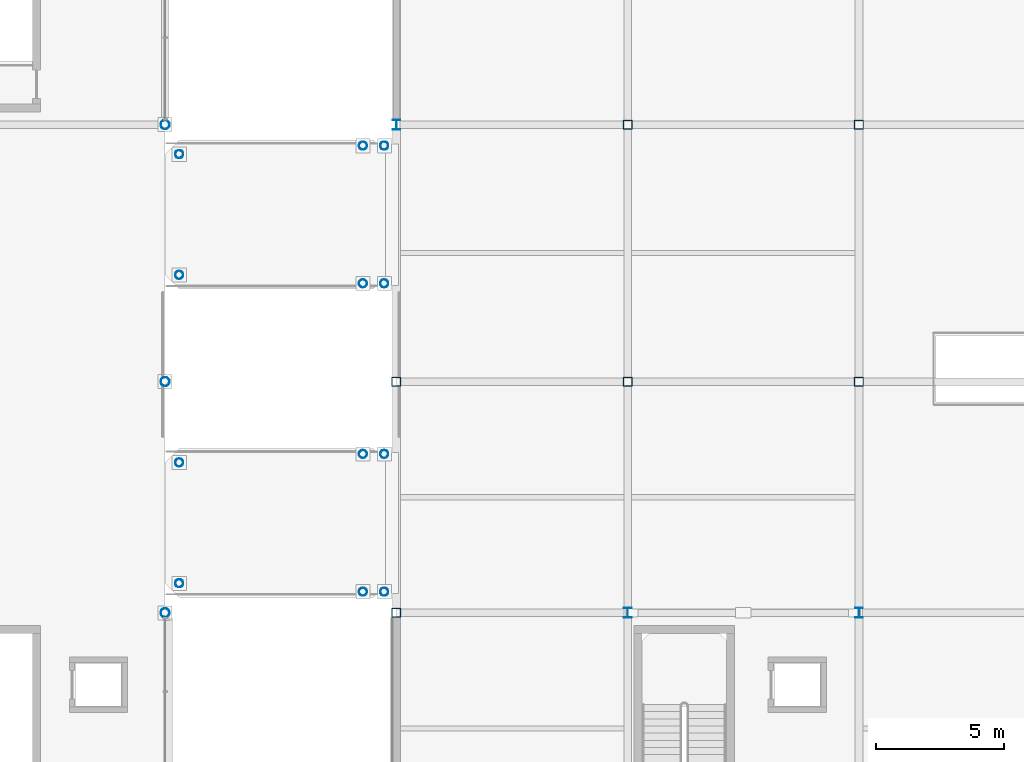
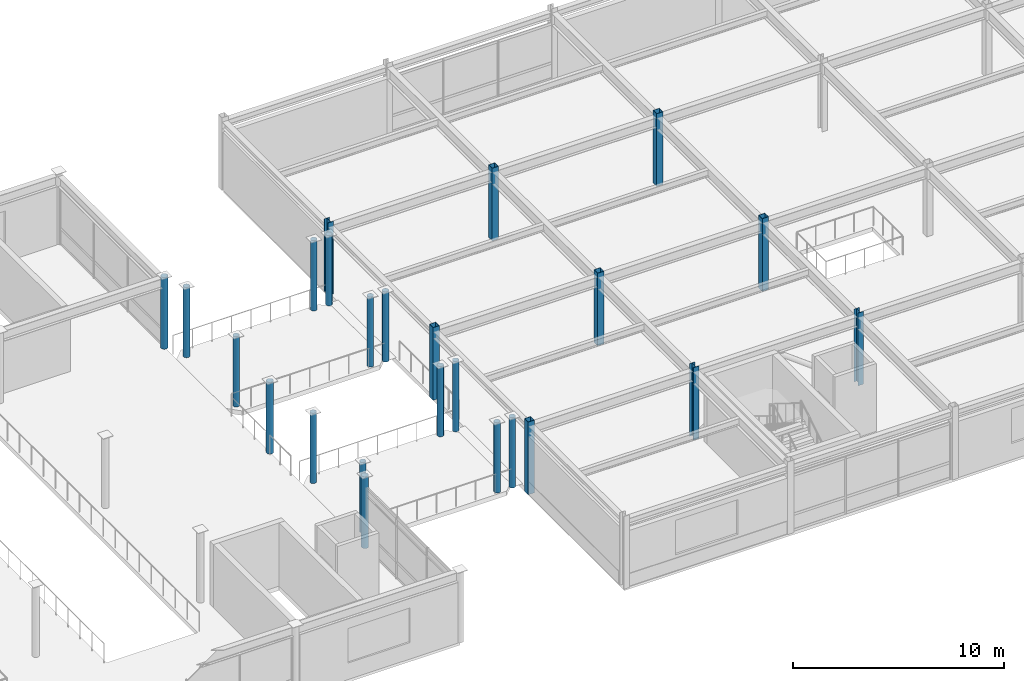
# One storey, part 5 of 53: 24 columns.
"""IFC4 building model written with IfcOpenShell, lengths in metres."""

from ifc_helpers import new_model, si_unit, direction, frame, origin, origin_2d, place, context, subcontext, project, spatial, hollow_rectangle, hollow_circle, i_section, extrude, material, material_profile, profile_set, type_object, element, save


model = new_model("IFC4")

# Units and contexts
model_context = context("Model", 3, precision=1e-05, world=origin(), true_north=direction((0.0, 1.0)))
body_context = subcontext(model_context, "Body", "Model", "MODEL_VIEW")
ifc_project = project(units=[si_unit("LENGTHUNIT", "METRE"), si_unit("AREAUNIT", "SQUARE_METRE"), si_unit("VOLUMEUNIT", "CUBIC_METRE"), si_unit("PLANEANGLEUNIT", "RADIAN"), si_unit("MASSUNIT", "GRAM", prefix="KILO")], contexts=[model_context])

# Site, building, storey
site_placement = place(None, origin())
site = spatial("IfcSite", under=ifc_project, at=site_placement, CompositionType="ELEMENT")
building_placement = place(site_placement, origin())
building = spatial("IfcBuilding", under=site, at=building_placement, Name="Suzunagisa Mobility Hub", CompositionType="ELEMENT")
storey_placement = place(building_placement, frame((0.0, 0.0, 17.699951171875)))
storey = spatial("IfcBuildingStorey", under=building, at=storey_placement, Name="L04", CompositionType="ELEMENT", Elevation=17.699951171875)

# Columns
ifc_material = material(Name="Steel SN490B", Category="steel")
ifc_material_profile_1 = material_profile(ifc_material, hollow_rectangle(XDim=0.35009765625, YDim=0.35009765625, WallThickness=0.01611328125, at=origin_2d()), Name="BCR-350x350x16")
ifc_profile_set_1 = profile_set([ifc_material_profile_1], Name="Steel SN490B")
column_type_1 = type_object("IfcColumnType", Name="Steel Column CL-04 BCR-350x350x16", PredefinedType="COLUMN", material=ifc_profile_set_1)
for number, where, z_axis, x_axis, name in (
    (1, (45.0, 89.0, 0.0), (0.0, 0.0, 1.0), (1.0, 0.0, 0.0), "L04 Column 119"),
    (2, (45.0, 98.0, 0.0), (0.0, 0.0, 1.0), (1.0, 0.0, 0.0), "L04 Column 120"),
    (3, (54.0, 98.0, 0.0), (0.0, 0.0, 1.0), (1.0, 0.0, 0.0), "L04 Column 131"),
    (4, (54.0, 108.0, 0.0), (0.0, 0.0, 1.0), (1.0, 0.0, 0.0), "L04 Column 132"),
    (5, (63.0, 98.0, 0.0), (0.0, 0.0, 1.0), (1.0, 0.0, 0.0), "L04 Column 140"),
    (6, (63.0, 108.0, 0.0), (0.0, 0.0, 1.0), (1.0, 0.0, 0.0), "L04 Column 141"),
):
    element("IfcColumn", number, at=place(storey_placement, frame(where, z_axis=z_axis, x_axis=x_axis)), inside=storey, type_object=column_type_1, Name=name, PredefinedType="COLUMN", context=body_context, shape_type="SweptSolid", body=[
        extrude(hollow_rectangle(XDim=0.35009765625, YDim=0.35009765625, WallThickness=0.01611328125, at=origin_2d()), origin(), (0.0, 0.0, 1.0), 4.199951171875),
    ])
ifc_material_profile_2 = material_profile(ifc_material, i_section(OverallWidth=0.300048828125, OverallDepth=0.389892578125, WebThickness=0.010009765625, FlangeThickness=0.01611328125, FilletRadius=0.012939453125, at=origin_2d()), Name="H-390x300x10x16")
ifc_profile_set_2 = profile_set([ifc_material_profile_2], Name="Steel SN490B")
column_type_2 = type_object("IfcColumnType", Name="Steel Column CL-07 H-390x300x10x16", PredefinedType="COLUMN", material=ifc_profile_set_2)
for number, where, z_axis, x_axis, name in (
    (7, (45.0, 108.0, 0.0), (0.0, 0.0, 1.0), (1.0, 0.0, 0.0), "L04 Column 121"),
    (8, (54.0, 89.0, 0.0), (0.0, 0.0, 1.0), (1.0, 0.0, 0.0), "L04 Column 130"),
    (9, (63.0, 89.0, 0.0), (0.0, 0.0, 1.0), (1.0, 0.0, 0.0), "L04 Column 139"),
):
    element("IfcColumn", number, at=place(storey_placement, frame(where, z_axis=z_axis, x_axis=x_axis)), inside=storey, type_object=column_type_2, Name=name, PredefinedType="COLUMN", context=body_context, shape_type="SweptSolid", body=[
        extrude(i_section(OverallWidth=0.300048828125, OverallDepth=0.389892578125, WebThickness=0.010009765625, FlangeThickness=0.01611328125, FilletRadius=0.012939453125, at=origin_2d()), origin(), (0.0, 0.0, 1.0), 4.199951171875),
    ])
ifc_material_profile_3 = material_profile(ifc_material, hollow_circle(Radius=0.1591796875, WallThickness=0.01025390625, at=origin_2d()), Name="CHS-318.5x10.3")
ifc_profile_set_3 = profile_set([ifc_material_profile_3], Name="Steel SN490B")
column_type_3 = type_object("IfcColumnType", Name="Steel Column CL-09 CHS-318.5x10.3", PredefinedType="COLUMN", material=ifc_profile_set_3)
for number, where, z_axis, x_axis, name in (
    (10, (36.550048828125, 90.14990234375, 0.0), (0.0, 0.0, 1.0), (1.0, 0.0, 0.0), "L04 Column 92"),
    (11, (36.550048828125, 94.85009765625, 0.0), (0.0, 0.0, 1.0), (1.0, 0.0, 0.0), "L04 Column 93"),
    (12, (36.550048828125, 102.14990234375, 0.0), (0.0, 0.0, 1.0), (1.0, 0.0, 0.0), "L04 Column 94"),
    (13, (36.550048828125, 106.85009765625, 0.0), (0.0, 0.0, 1.0), (1.0, 0.0, 0.0), "L04 Column 95"),
    (14, (43.699951171875, 89.820068359375, 0.0), (0.0, 0.0, 1.0), (1.0, 0.0, 0.0), "L04 Column 105"),
    (15, (43.699951171875, 95.179931640625, 0.0), (0.0, 0.0, 1.0), (1.0, 0.0, 0.0), "L04 Column 106"),
    (16, (43.699951171875, 101.820068359375, 0.0), (0.0, 0.0, 1.0), (1.0, 0.0, 0.0), "L04 Column 107"),
    (17, (43.699951171875, 107.179931640625, 0.0), (0.0, 0.0, 1.0), (1.0, 0.0, 0.0), "L04 Column 108"),
    (18, (44.530029296875, 89.820068359375, 0.0), (0.0, 0.0, 1.0), (1.0, 0.0, 0.0), "L04 Column 111"),
    (19, (44.530029296875, 95.179931640625, 0.0), (0.0, 0.0, 1.0), (1.0, 0.0, 0.0), "L04 Column 112"),
    (20, (44.530029296875, 101.820068359375, 0.0), (0.0, 0.0, 1.0), (1.0, 0.0, 0.0), "L04 Column 113"),
    (21, (44.530029296875, 107.179931640625, 0.0), (0.0, 0.0, 1.0), (1.0, 0.0, 0.0), "L04 Column 114"),
):
    element("IfcColumn", number, at=place(storey_placement, frame(where, z_axis=z_axis, x_axis=x_axis)), inside=storey, type_object=column_type_3, Name=name, PredefinedType="COLUMN", context=body_context, shape_type="SweptSolid", body=[
        extrude(hollow_circle(Radius=0.1591796875, WallThickness=0.01025390625, at=origin_2d()), origin(), (0.0, 0.0, 1.0), 4.06005859375),
    ])
ifc_material_profile_4 = material_profile(ifc_material, hollow_circle(Radius=0.177734375, WallThickness=0.0126953125, at=origin_2d()), Name="CHS-355.6x12.7")
ifc_profile_set_4 = profile_set([ifc_material_profile_4], Name="Steel SN490B")
column_type_4 = type_object("IfcColumnType", Name="Steel Column CL-18 CHS-355.6x12.7", PredefinedType="COLUMN", material=ifc_profile_set_4)
for number, where, z_axis, x_axis, name in (
    (22, (36.0, 89.0, 0.0), (0.0, 0.0, 1.0), (1.0, 0.0, 0.0), "L04 Column 86"),
    (23, (36.0, 98.0, 0.0), (0.0, 0.0, 1.0), (1.0, 0.0, 0.0), "L04 Column 87"),
    (24, (36.0, 108.0, 0.0), (0.0, 0.0, 1.0), (1.0, 0.0, 0.0), "L04 Column 88"),
):
    element("IfcColumn", number, at=place(storey_placement, frame(where, z_axis=z_axis, x_axis=x_axis)), inside=storey, type_object=column_type_4, Name=name, PredefinedType="COLUMN", context=body_context, shape_type="SweptSolid", body=[
        extrude(hollow_circle(Radius=0.177734375, WallThickness=0.0126953125, at=origin_2d()), origin(), (0.0, 0.0, 1.0), 4.14013671875),
    ])

save(model, "model.ifc")
